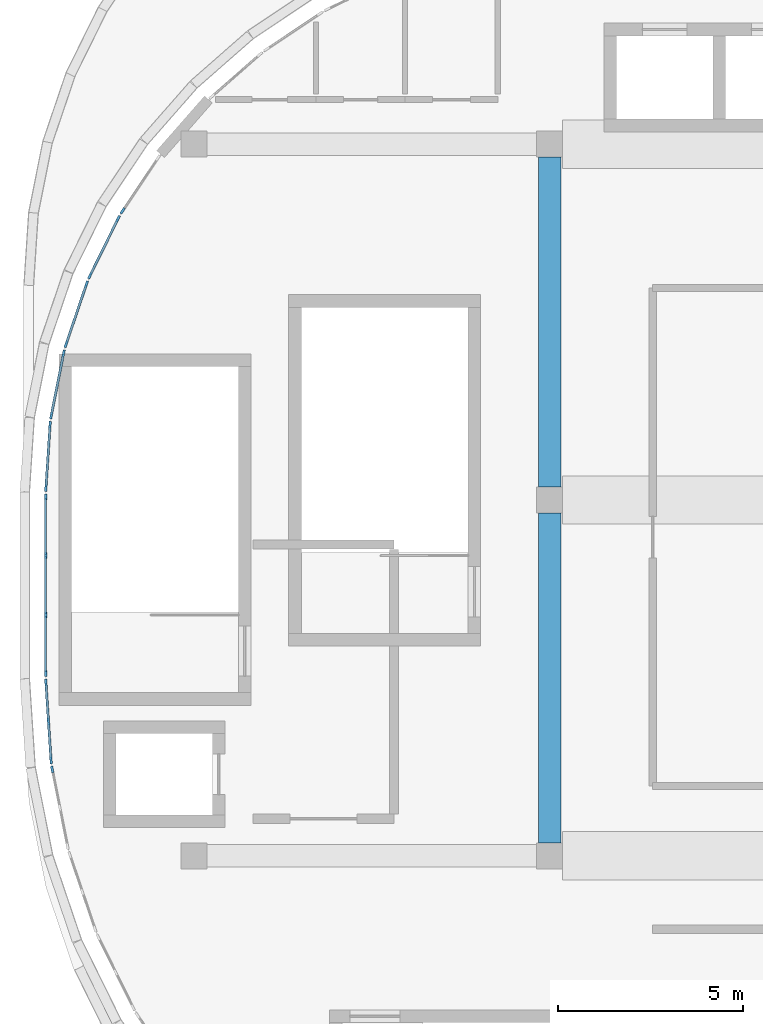
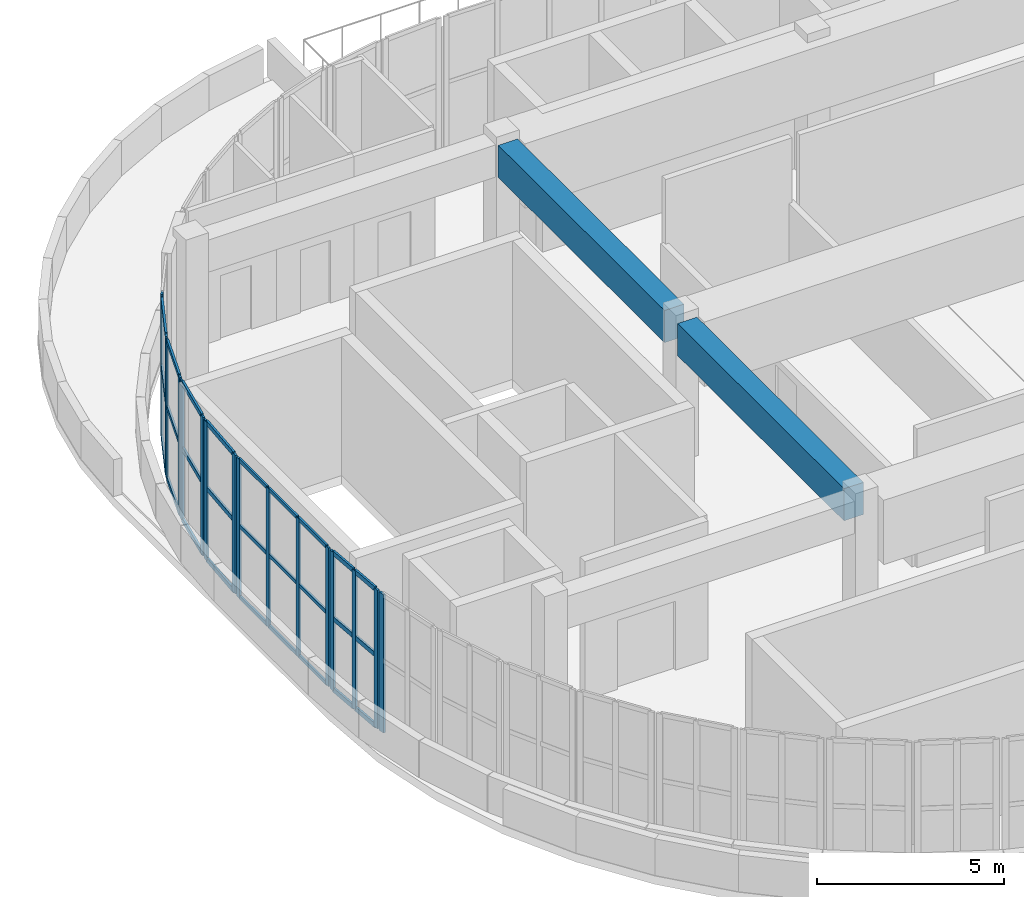
# One storey, part 5 of 23: 44 members, 2 beams, 8 elements without a shape of their own.
"""IFC4 building model written with IfcOpenShell, lengths in metres."""

from ifc_helpers import new_model, si_unit, direction, frame, origin, origin_2d, place, context, subcontext, project, spatial, rectangle, extrude, material, layer, layer_set, material_profile, profile_set, type_object, element, aggregate, save


model = new_model("IFC4")

# Units and contexts
model_context = context("Model", 3, precision=1e-05, world=origin(), true_north=direction((0.0, 1.0)))
body_context = subcontext(model_context, "Body", "Model", "MODEL_VIEW")
ifc_project = project(units=[si_unit("LENGTHUNIT", "METRE"), si_unit("AREAUNIT", "SQUARE_METRE"), si_unit("VOLUMEUNIT", "CUBIC_METRE"), si_unit("PLANEANGLEUNIT", "RADIAN"), si_unit("MASSUNIT", "GRAM", prefix="KILO")], contexts=[model_context])

# Site, building, storey
site_placement = place(None, origin())
site = spatial("IfcSite", under=ifc_project, at=site_placement, CompositionType="ELEMENT")
building_placement = place(site_placement, origin())
building = spatial("IfcBuilding", under=site, at=building_placement, Name="Cendralis Terraced Arcade", CompositionType="ELEMENT")
storey_placement = place(building_placement, frame((0.0, 0.0, 29.39990234375)))
storey = spatial("IfcBuildingStorey", under=building, at=storey_placement, Name="L06", CompositionType="ELEMENT", Elevation=29.39990234375)

# Beams
ifc_material_1 = material(Name="Concrete f'c 35 MPa", Category="concrete")
ifc_material_profile_1 = material_profile(ifc_material_1, rectangle(XDim=0.60009765625, YDim=1.050048828125, at=origin_2d()), Name="RC-BM-600x1050", Category="LoadBearing")
ifc_profile_set_1 = profile_set([ifc_material_profile_1], Name="Concrete f'c 35 MPa")
beam_type = type_object("IfcBeamType", Name="BM-600x1050", PredefinedType="JOIST", material=ifc_profile_set_1)
beam_1_placement = place(storey_placement, frame((19.199951171875, 19.550048828125, 4.0), z_axis=(0.0, 1.0, 0.0), x_axis=(-1.0, 0.0, 0.0)))
element("IfcBeam", 1, at=beam_1_placement, inside=storey, type_object=beam_type, Name="Reinforced Concrete Frame Beam BM-Y-RF-3-C_D", PredefinedType="JOIST", context=body_context, shape_type="SweptSolid", body=[
    extrude(rectangle(XDim=0.60009765625, YDim=1.050048828125, at=origin_2d()), origin(), (0.0, 0.0, 1.0), 8.89990234375),
])
beam_2_placement = place(storey_placement, frame((19.199951171875, 29.14990234375, 4.0), z_axis=(0.0, 1.0, 0.0), x_axis=(-1.0, 0.0, 0.0)))
element("IfcBeam", 2, at=beam_2_placement, inside=storey, type_object=beam_type, Name="Reinforced Concrete Frame Beam BM-Y-RF-3-D_E", PredefinedType="JOIST", context=body_context, shape_type="SweptSolid", body=[
    extrude(rectangle(XDim=0.60009765625, YDim=1.050048828125, at=origin_2d()), origin(), (0.0, 0.0, 1.0), 8.900146484375),
])

# Curtain wall, members
ifc_material_2 = material(Name="Anodised aluminium EN AW-6063 T6", Category="aluminium")
ifc_layer_1 = layer(ifc_material_2, 0.179931640625, Name="CW-UNIT-A")
ifc_layer_set_1 = layer_set([ifc_layer_1], Name="Anodised aluminium EN AW-6063 T6")
curtain_wall_type_1 = type_object("IfcCurtainWallType", Name="CW-UNIT-A", PredefinedType="USERDEFINED", material=ifc_layer_set_1)
curtain_wall_1_placement = place(storey_placement, origin())
curtain_wall_1 = element("IfcCurtainWall", 3, at=curtain_wall_1_placement, inside=storey, type_object=curtain_wall_type_1, Name="Exterior Unitised Facade CW-L06-0446", ObjectType="UNITISED FACADE", PredefinedType="USERDEFINED")
ifc_material_profile_2 = material_profile(ifc_material_2, rectangle(XDim=0.06494140625, YDim=0.179931640625, at=origin_2d()), Name="ALU-MUL-65x180")
ifc_profile_set_2 = profile_set([ifc_material_profile_2], Name="Anodised aluminium EN AW-6063 T6")
member_type_1 = type_object("IfcMemberType", Name="CW-UNIT-A-MUL", PredefinedType="MULLION", material=ifc_profile_set_2)
member_1_placement = place(storey_placement, frame((5.60791015625, 29.122314453125, 0.0), z_axis=(0.0, 0.0, 1.0), x_axis=(-0.997860971336, 0.065371873798, 0.0)))
member_1 = element("IfcMember", 4, at=member_1_placement, type_object=member_type_1, Name="CW-U1 mullion 1", PredefinedType="MULLION", context=body_context, shape_type="SweptSolid", body=[
    extrude(rectangle(XDim=0.06494140625, YDim=0.179931640625, at=origin_2d()), origin(), (0.0, 0.0, 1.0), 4.525146484375),
])
member_2_placement = place(storey_placement, frame((5.72021484375, 30.835693359375, 0.0), z_axis=(0.0, 0.0, 1.0), x_axis=(-0.997860971336, 0.065371873798, 0.0)))
member_2 = element("IfcMember", 5, at=member_2_placement, type_object=member_type_1, Name="CW-U1 mullion 2", PredefinedType="MULLION", context=body_context, shape_type="SweptSolid", body=[
    extrude(rectangle(XDim=0.06494140625, YDim=0.179931640625, at=origin_2d()), origin(), (0.0, 0.0, 1.0), 4.525146484375),
])

curtain_wall_2_placement = place(storey_placement, origin())
curtain_wall_2 = element("IfcCurtainWall", 6, at=curtain_wall_2_placement, inside=storey, type_object=curtain_wall_type_1, Name="Exterior Unitised Facade CW-L06-0447", ObjectType="UNITISED FACADE", PredefinedType="USERDEFINED")
member_3_placement = place(storey_placement, frame((5.752197265625, 31.078125, 0.0), z_axis=(0.0, 0.0, 1.0), x_axis=(-0.980791618721, 0.195058454434, 0.0)))
member_3 = element("IfcMember", 7, at=member_3_placement, type_object=member_type_1, Name="CW-U1 mullion 1", PredefinedType="MULLION", context=body_context, shape_type="SweptSolid", body=[
    extrude(rectangle(XDim=0.06494140625, YDim=0.179931640625, at=origin_2d()), origin(), (0.0, 0.0, 1.0), 4.525146484375),
])
member_4_placement = place(storey_placement, frame((6.087158203125, 32.76220703125, 0.0), z_axis=(0.0, 0.0, 1.0), x_axis=(-0.980791618721, 0.195058454434, 0.0)))
member_4 = element("IfcMember", 8, at=member_4_placement, type_object=member_type_1, Name="CW-U1 mullion 2", PredefinedType="MULLION", context=body_context, shape_type="SweptSolid", body=[
    extrude(rectangle(XDim=0.06494140625, YDim=0.179931640625, at=origin_2d()), origin(), (0.0, 0.0, 1.0), 4.525146484375),
])

curtain_wall_3_placement = place(storey_placement, origin())
curtain_wall_3 = element("IfcCurtainWall", 9, at=curtain_wall_3_placement, inside=storey, type_object=curtain_wall_type_1, Name="Exterior Unitised Facade CW-L06-0448", ObjectType="UNITISED FACADE", PredefinedType="USERDEFINED")
member_5_placement = place(storey_placement, frame((6.150390625, 32.998291015625, 0.0), z_axis=(0.0, 0.0, 1.0), x_axis=(-0.946923811316, 0.321458077458, 0.0)))
member_5 = element("IfcMember", 10, at=member_5_placement, type_object=member_type_1, Name="CW-U1 mullion 1", PredefinedType="MULLION", context=body_context, shape_type="SweptSolid", body=[
    extrude(rectangle(XDim=0.06494140625, YDim=0.179931640625, at=origin_2d()), origin(), (0.0, 0.0, 1.0), 4.525146484375),
])
member_6_placement = place(storey_placement, frame((6.702392578125, 34.624267578125, 0.0), z_axis=(0.0, 0.0, 1.0), x_axis=(-0.946923811316, 0.321458077458, 0.0)))
member_6 = element("IfcMember", 11, at=member_6_placement, type_object=member_type_1, Name="CW-U1 mullion 2", PredefinedType="MULLION", context=body_context, shape_type="SweptSolid", body=[
    extrude(rectangle(XDim=0.06494140625, YDim=0.179931640625, at=origin_2d()), origin(), (0.0, 0.0, 1.0), 4.525146484375),
])

curtain_wall_4_placement = place(storey_placement, origin())
curtain_wall_4 = element("IfcCurtainWall", 12, at=curtain_wall_4_placement, inside=storey, type_object=curtain_wall_type_1, Name="Exterior Unitised Facade CW-L06-0449", ObjectType="UNITISED FACADE", PredefinedType="USERDEFINED")
member_7_placement = place(storey_placement, frame((6.7958984375, 34.85009765625, 0.0), z_axis=(0.0, 0.0, 1.0), x_axis=(-0.896871480419, 0.442291247495, 0.0)))
member_7 = element("IfcMember", 13, at=member_7_placement, type_object=member_type_1, Name="CW-U1 mullion 1", PredefinedType="MULLION", context=body_context, shape_type="SweptSolid", body=[
    extrude(rectangle(XDim=0.06494140625, YDim=0.179931640625, at=origin_2d()), origin(), (0.0, 0.0, 1.0), 4.525146484375),
])
member_8_placement = place(storey_placement, frame((7.555419921875, 36.39013671875, 0.0), z_axis=(0.0, 0.0, 1.0), x_axis=(-0.896871480419, 0.442291247495, 0.0)))
member_8 = element("IfcMember", 14, at=member_8_placement, type_object=member_type_1, Name="CW-U1 mullion 2", PredefinedType="MULLION", context=body_context, shape_type="SweptSolid", body=[
    extrude(rectangle(XDim=0.06494140625, YDim=0.179931640625, at=origin_2d()), origin(), (0.0, 0.0, 1.0), 4.525146484375),
])

# Curtain wall, member
curtain_wall_5_placement = place(storey_placement, origin())
curtain_wall_5 = element("IfcCurtainWall", 15, at=curtain_wall_5_placement, inside=storey, type_object=curtain_wall_type_1, Name="Exterior Unitised Facade CW-L06-0450", ObjectType="UNITISED FACADE", PredefinedType="USERDEFINED")
member_9_placement = place(storey_placement, frame((7.677734375, 36.601806640625, 0.0), z_axis=(0.0, 0.0, 1.0), x_axis=(-0.831471454125, 0.555567476528, 0.0)))
member_9 = element("IfcMember", 16, at=member_9_placement, type_object=member_type_1, Name="CW-U1 mullion 1", PredefinedType="MULLION", context=body_context, shape_type="SweptSolid", body=[
    extrude(rectangle(XDim=0.06494140625, YDim=0.179931640625, at=origin_2d()), origin(), (0.0, 0.0, 1.0), 4.525146484375),
])
aggregate(curtain_wall_5, [member_9])

curtain_wall_6_placement = place(storey_placement, origin())
curtain_wall_6 = element("IfcCurtainWall", 17, at=curtain_wall_6_placement, inside=storey, type_object=curtain_wall_type_1, Name="Exterior Unitised Facade CW-L06-0495", ObjectType="UNITISED FACADE", PredefinedType="USERDEFINED")
member_10_placement = place(storey_placement, frame((5.77783203125, 21.5302734375, 0.0), z_axis=(0.0, 0.0, 1.0), x_axis=(-0.980794124594, -0.195045853998, 0.0)))
member_10 = element("IfcMember", 18, at=member_10_placement, type_object=member_type_1, Name="CW-U1 mullion 3", PredefinedType="MULLION", context=body_context, shape_type="SweptSolid", body=[
    extrude(rectangle(XDim=0.06494140625, YDim=0.179931640625, at=origin_2d()), origin(), (0.0, 0.0, 1.0), 4.525146484375),
])
aggregate(curtain_wall_6, [member_10])

# Curtain wall, members
curtain_wall_7_placement = place(storey_placement, origin())
curtain_wall_7 = element("IfcCurtainWall", 19, at=curtain_wall_7_placement, inside=storey, type_object=curtain_wall_type_1, Name="Exterior Unitised Facade CW-L06-0496", ObjectType="UNITISED FACADE", PredefinedType="USERDEFINED")
member_11_placement = place(storey_placement, frame((5.74609375, 21.772705078125, 0.0), z_axis=(0.0, 0.0, 1.0), x_axis=(-0.99785960626, -0.065392707503, 0.0)))
member_11 = element("IfcMember", 20, at=member_11_placement, type_object=member_type_1, Name="CW-U1 mullion 1", PredefinedType="MULLION", context=body_context, shape_type="SweptSolid", body=[
    extrude(rectangle(XDim=0.06494140625, YDim=0.179931640625, at=origin_2d()), origin(), (0.0, 0.0, 1.0), 4.525146484375),
])
member_12_placement = place(storey_placement, frame((5.677001953125, 22.8251953125, 0.0), z_axis=(0.0, 0.0, 1.0), x_axis=(-0.99785960626, -0.065392707503, 0.0)))
member_12 = element("IfcMember", 21, at=member_12_placement, type_object=member_type_1, Name="CW-U1 mullion 2", PredefinedType="MULLION", context=body_context, shape_type="SweptSolid", body=[
    extrude(rectangle(XDim=0.06494140625, YDim=0.179931640625, at=origin_2d()), origin(), (0.0, 0.0, 1.0), 4.525146484375),
])
member_13_placement = place(storey_placement, frame((5.60791015625, 23.877685546875, 0.0), z_axis=(0.0, 0.0, 1.0), x_axis=(-0.99785960626, -0.065392707503, 0.0)))
member_13 = element("IfcMember", 22, at=member_13_placement, type_object=member_type_1, Name="CW-U1 mullion 3", PredefinedType="MULLION", context=body_context, shape_type="SweptSolid", body=[
    extrude(rectangle(XDim=0.06494140625, YDim=0.179931640625, at=origin_2d()), origin(), (0.0, 0.0, 1.0), 4.525146484375),
])

# Member
ifc_material_profile_3 = material_profile(ifc_material_2, rectangle(XDim=0.06494140625, YDim=0.14990234375, at=origin_2d()), Name="ALU-TRN-65x150")
ifc_profile_set_3 = profile_set([ifc_material_profile_3], Name="Anodised aluminium EN AW-6063 T6")
member_type_2 = type_object("IfcMemberType", Name="CW-UNIT-A-TRN", PredefinedType="USERDEFINED", material=ifc_profile_set_3)
member_14_placement = place(storey_placement, frame((5.610107421875, 29.154541015625, 0.03271484375), z_axis=(0.065459774551, 0.997855208893, 0.0), x_axis=(-0.997855208893, 0.065459774551, 0.0)))
member_14 = element("IfcMember", 23, at=member_14_placement, type_object=member_type_2, Name="CW-U1 transom 1.1", ObjectType="TRANSOM", PredefinedType="USERDEFINED", context=body_context, shape_type="SweptSolid", body=[
    extrude(rectangle(XDim=0.06494140625, YDim=0.14990234375, at=origin_2d()), origin(), (0.0, 0.0, 1.0), 1.65234375),
])

member_15_placement = place(storey_placement, frame((5.610107421875, 29.154541015625, 2.35302734375), z_axis=(0.065459774551, 0.997855208893, 0.0), x_axis=(-0.997855208893, 0.065459774551, 0.0)))
member_15 = element("IfcMember", 24, at=member_15_placement, type_object=member_type_2, Name="CW-U1 transom 1.2", ObjectType="TRANSOM", PredefinedType="USERDEFINED", context=body_context, shape_type="SweptSolid", body=[
    extrude(rectangle(XDim=0.06494140625, YDim=0.14990234375, at=origin_2d()), origin(), (0.0, 0.0, 1.0), 1.65234375),
])

member_16_placement = place(storey_placement, frame((5.610107421875, 29.154541015625, 4.49267578125), z_axis=(0.065459774551, 0.997855208893, 0.0), x_axis=(-0.997855208893, 0.065459774551, 0.0)))
member_16 = element("IfcMember", 25, at=member_16_placement, type_object=member_type_2, Name="CW-U1 transom 1.3", ObjectType="TRANSOM", PredefinedType="USERDEFINED", context=body_context, shape_type="SweptSolid", body=[
    extrude(rectangle(XDim=0.06494140625, YDim=0.14990234375, at=origin_2d()), origin(), (0.0, 0.0, 1.0), 1.65234375),
])

aggregate(curtain_wall_1, [member_1, member_2, member_14, member_15, member_16])

member_17_placement = place(storey_placement, frame((5.758544921875, 31.10986328125, 0.03271484375), z_axis=(0.195064538134, 0.980790408784, 0.0), x_axis=(-0.980790408784, 0.195064538134, 0.0)))
member_17 = element("IfcMember", 26, at=member_17_placement, type_object=member_type_2, Name="CW-U1 transom 1.1", ObjectType="TRANSOM", PredefinedType="USERDEFINED", context=body_context, shape_type="SweptSolid", body=[
    extrude(rectangle(XDim=0.06494140625, YDim=0.14990234375, at=origin_2d()), origin(), (0.0, 0.0, 1.0), 1.652099609375),
])

member_18_placement = place(storey_placement, frame((5.758544921875, 31.10986328125, 2.35302734375), z_axis=(0.195064538134, 0.980790408784, 0.0), x_axis=(-0.980790408784, 0.195064538134, 0.0)))
member_18 = element("IfcMember", 27, at=member_18_placement, type_object=member_type_2, Name="CW-U1 transom 1.2", ObjectType="TRANSOM", PredefinedType="USERDEFINED", context=body_context, shape_type="SweptSolid", body=[
    extrude(rectangle(XDim=0.06494140625, YDim=0.14990234375, at=origin_2d()), origin(), (0.0, 0.0, 1.0), 1.652099609375),
])

member_19_placement = place(storey_placement, frame((5.758544921875, 31.10986328125, 4.49267578125), z_axis=(0.195064538134, 0.980790408784, 0.0), x_axis=(-0.980790408784, 0.195064538134, 0.0)))
member_19 = element("IfcMember", 28, at=member_19_placement, type_object=member_type_2, Name="CW-U1 transom 1.3", ObjectType="TRANSOM", PredefinedType="USERDEFINED", context=body_context, shape_type="SweptSolid", body=[
    extrude(rectangle(XDim=0.06494140625, YDim=0.14990234375, at=origin_2d()), origin(), (0.0, 0.0, 1.0), 1.652099609375),
])

aggregate(curtain_wall_2, [member_3, member_4, member_17, member_18, member_19])

member_20_placement = place(storey_placement, frame((6.160888671875, 33.029052734375, 0.03271484375), z_axis=(0.321409930755, 0.94694015461, 0.0), x_axis=(-0.94694015461, 0.321409930755, 0.0)))
member_20 = element("IfcMember", 29, at=member_20_placement, type_object=member_type_2, Name="CW-U1 transom 1.1", ObjectType="TRANSOM", PredefinedType="USERDEFINED", context=body_context, shape_type="SweptSolid", body=[
    extrude(rectangle(XDim=0.06494140625, YDim=0.14990234375, at=origin_2d()), origin(), (0.0, 0.0, 1.0), 1.652099609375),
])

member_21_placement = place(storey_placement, frame((6.160888671875, 33.029052734375, 2.35302734375), z_axis=(0.321409930755, 0.94694015461, 0.0), x_axis=(-0.94694015461, 0.321409930755, 0.0)))
member_21 = element("IfcMember", 30, at=member_21_placement, type_object=member_type_2, Name="CW-U1 transom 1.2", ObjectType="TRANSOM", PredefinedType="USERDEFINED", context=body_context, shape_type="SweptSolid", body=[
    extrude(rectangle(XDim=0.06494140625, YDim=0.14990234375, at=origin_2d()), origin(), (0.0, 0.0, 1.0), 1.652099609375),
])

member_22_placement = place(storey_placement, frame((6.160888671875, 33.029052734375, 4.49267578125), z_axis=(0.321409930755, 0.94694015461, 0.0), x_axis=(-0.94694015461, 0.321409930755, 0.0)))
member_22 = element("IfcMember", 31, at=member_22_placement, type_object=member_type_2, Name="CW-U1 transom 1.3", ObjectType="TRANSOM", PredefinedType="USERDEFINED", context=body_context, shape_type="SweptSolid", body=[
    extrude(rectangle(XDim=0.06494140625, YDim=0.14990234375, at=origin_2d()), origin(), (0.0, 0.0, 1.0), 1.652099609375),
])

aggregate(curtain_wall_3, [member_5, member_6, member_20, member_21, member_22])

member_23_placement = place(storey_placement, frame((6.810302734375, 34.87939453125, 0.03271484375), z_axis=(0.442300625853, 0.896866855431, 0.0), x_axis=(-0.896866855431, 0.442300625853, 0.0)))
member_23 = element("IfcMember", 32, at=member_23_placement, type_object=member_type_2, Name="CW-U1 transom 1.1", ObjectType="TRANSOM", PredefinedType="USERDEFINED", context=body_context, shape_type="SweptSolid", body=[
    extrude(rectangle(XDim=0.06494140625, YDim=0.14990234375, at=origin_2d()), origin(), (0.0, 0.0, 1.0), 1.652099609375),
])

member_24_placement = place(storey_placement, frame((6.810302734375, 34.87939453125, 2.35302734375), z_axis=(0.442300625853, 0.896866855431, 0.0), x_axis=(-0.896866855431, 0.442300625853, 0.0)))
member_24 = element("IfcMember", 33, at=member_24_placement, type_object=member_type_2, Name="CW-U1 transom 1.2", ObjectType="TRANSOM", PredefinedType="USERDEFINED", context=body_context, shape_type="SweptSolid", body=[
    extrude(rectangle(XDim=0.06494140625, YDim=0.14990234375, at=origin_2d()), origin(), (0.0, 0.0, 1.0), 1.652099609375),
])

member_25_placement = place(storey_placement, frame((6.810302734375, 34.87939453125, 4.49267578125), z_axis=(0.442300625853, 0.896866855431, 0.0), x_axis=(-0.896866855431, 0.442300625853, 0.0)))
member_25 = element("IfcMember", 34, at=member_25_placement, type_object=member_type_2, Name="CW-U1 transom 1.3", ObjectType="TRANSOM", PredefinedType="USERDEFINED", context=body_context, shape_type="SweptSolid", body=[
    extrude(rectangle(XDim=0.06494140625, YDim=0.14990234375, at=origin_2d()), origin(), (0.0, 0.0, 1.0), 1.652099609375),
])

aggregate(curtain_wall_4, [member_7, member_8, member_23, member_24, member_25])

member_26_placement = place(storey_placement, frame((5.743896484375, 21.80517578125, 0.03271484375), z_axis=(-0.065372840697, 0.997860907992, 0.0), x_axis=(-0.997860907992, -0.065372840697, 0.0)))
member_26 = element("IfcMember", 35, at=member_26_placement, type_object=member_type_2, Name="CW-U1 transom 1.1", ObjectType="TRANSOM", PredefinedType="USERDEFINED", context=body_context, shape_type="SweptSolid", body=[
    extrude(rectangle(XDim=0.06494140625, YDim=0.14990234375, at=origin_2d()), origin(), (0.0, 0.0, 1.0), 0.98974609375),
])

member_27_placement = place(storey_placement, frame((5.743896484375, 21.80517578125, 2.35302734375), z_axis=(-0.065372840697, 0.997860907992, 0.0), x_axis=(-0.997860907992, -0.065372840697, 0.0)))
member_27 = element("IfcMember", 36, at=member_27_placement, type_object=member_type_2, Name="CW-U1 transom 1.2", ObjectType="TRANSOM", PredefinedType="USERDEFINED", context=body_context, shape_type="SweptSolid", body=[
    extrude(rectangle(XDim=0.06494140625, YDim=0.14990234375, at=origin_2d()), origin(), (0.0, 0.0, 1.0), 0.98974609375),
])

member_28_placement = place(storey_placement, frame((5.743896484375, 21.80517578125, 4.49267578125), z_axis=(-0.065372840697, 0.997860907992, 0.0), x_axis=(-0.997860907992, -0.065372840697, 0.0)))
member_28 = element("IfcMember", 37, at=member_28_placement, type_object=member_type_2, Name="CW-U1 transom 1.3", ObjectType="TRANSOM", PredefinedType="USERDEFINED", context=body_context, shape_type="SweptSolid", body=[
    extrude(rectangle(XDim=0.06494140625, YDim=0.14990234375, at=origin_2d()), origin(), (0.0, 0.0, 1.0), 0.98974609375),
])

member_29_placement = place(storey_placement, frame((5.6748046875, 22.857666015625, 0.03271484375), z_axis=(-0.065356752321, 0.997861961859, 0.0), x_axis=(-0.997861961859, -0.065356752321, 0.0)))
member_29 = element("IfcMember", 38, at=member_29_placement, type_object=member_type_2, Name="CW-U1 transom 2.1", ObjectType="TRANSOM", PredefinedType="USERDEFINED", context=body_context, shape_type="SweptSolid", body=[
    extrude(rectangle(XDim=0.06494140625, YDim=0.14990234375, at=origin_2d()), origin(), (0.0, 0.0, 1.0), 0.989990234375),
])

member_30_placement = place(storey_placement, frame((5.6748046875, 22.857666015625, 2.35302734375), z_axis=(-0.065356752321, 0.997861961859, 0.0), x_axis=(-0.997861961859, -0.065356752321, 0.0)))
member_30 = element("IfcMember", 39, at=member_30_placement, type_object=member_type_2, Name="CW-U1 transom 2.2", ObjectType="TRANSOM", PredefinedType="USERDEFINED", context=body_context, shape_type="SweptSolid", body=[
    extrude(rectangle(XDim=0.06494140625, YDim=0.14990234375, at=origin_2d()), origin(), (0.0, 0.0, 1.0), 0.989990234375),
])

member_31_placement = place(storey_placement, frame((5.6748046875, 22.857666015625, 4.49267578125), z_axis=(-0.065356752321, 0.997861961859, 0.0), x_axis=(-0.997861961859, -0.065356752321, 0.0)))
member_31 = element("IfcMember", 40, at=member_31_placement, type_object=member_type_2, Name="CW-U1 transom 2.3", ObjectType="TRANSOM", PredefinedType="USERDEFINED", context=body_context, shape_type="SweptSolid", body=[
    extrude(rectangle(XDim=0.06494140625, YDim=0.14990234375, at=origin_2d()), origin(), (0.0, 0.0, 1.0), 0.989990234375),
])

aggregate(curtain_wall_7, [member_11, member_12, member_13, member_26, member_27, member_28, member_29, member_30, member_31])

# Curtain wall, members
ifc_layer_2 = layer(ifc_material_2, 0.159912109375, Name="CW-UNIT-B")
ifc_layer_set_2 = layer_set([ifc_layer_2], Name="Anodised aluminium EN AW-6063 T6")
curtain_wall_type_2 = type_object("IfcCurtainWallType", Name="CW-UNIT-B", PredefinedType="USERDEFINED", material=ifc_layer_set_2)
curtain_wall_8_placement = place(storey_placement, origin())
curtain_wall_8 = element("IfcCurtainWall", 41, at=curtain_wall_8_placement, inside=storey, type_object=curtain_wall_type_2, Name="Exterior Unitised Facade CW-L06-0445", ObjectType="UNITISED FACADE", PredefinedType="USERDEFINED")
ifc_material_profile_4 = material_profile(ifc_material_2, rectangle(XDim=0.06494140625, YDim=0.159912109375, at=origin_2d()), Name="ALU-MUL-65x160")
ifc_profile_set_4 = profile_set([ifc_material_profile_4], Name="Anodised aluminium EN AW-6063 T6")
member_type_3 = type_object("IfcMemberType", Name="CW-UNIT-B-MUL", PredefinedType="MULLION", material=ifc_profile_set_4)
member_32_placement = place(storey_placement, frame((5.60009765625, 24.12255859375, 0.0), z_axis=(0.0, 0.0, 1.0), x_axis=(-1.0, 0.0, 0.0)))
member_32 = element("IfcMember", 42, at=member_32_placement, type_object=member_type_3, Name="CW-U2 mullion 1", PredefinedType="MULLION", context=body_context, shape_type="SweptSolid", body=[
    extrude(rectangle(XDim=0.06494140625, YDim=0.159912109375, at=origin_2d()), origin(), (0.0, 0.0, 1.0), 4.525146484375),
])
member_33_placement = place(storey_placement, frame((5.60009765625, 25.69677734375, 0.0), z_axis=(0.0, 0.0, 1.0), x_axis=(-1.0, 0.0, 0.0)))
member_33 = element("IfcMember", 43, at=member_33_placement, type_object=member_type_3, Name="CW-U2 mullion 2", PredefinedType="MULLION", context=body_context, shape_type="SweptSolid", body=[
    extrude(rectangle(XDim=0.06494140625, YDim=0.159912109375, at=origin_2d()), origin(), (0.0, 0.0, 1.0), 4.525146484375),
])
member_34_placement = place(storey_placement, frame((5.60009765625, 27.30322265625, 0.0), z_axis=(0.0, 0.0, 1.0), x_axis=(-1.0, 0.0, 0.0)))
member_34 = element("IfcMember", 44, at=member_34_placement, type_object=member_type_3, Name="CW-U2 mullion 3", PredefinedType="MULLION", context=body_context, shape_type="SweptSolid", body=[
    extrude(rectangle(XDim=0.06494140625, YDim=0.159912109375, at=origin_2d()), origin(), (0.0, 0.0, 1.0), 4.525146484375),
])
member_35_placement = place(storey_placement, frame((5.60009765625, 28.87744140625, 0.0), z_axis=(0.0, 0.0, 1.0), x_axis=(-1.0, 0.0, 0.0)))
member_35 = element("IfcMember", 45, at=member_35_placement, type_object=member_type_3, Name="CW-U2 mullion 4", PredefinedType="MULLION", context=body_context, shape_type="SweptSolid", body=[
    extrude(rectangle(XDim=0.06494140625, YDim=0.159912109375, at=origin_2d()), origin(), (0.0, 0.0, 1.0), 4.525146484375),
])
ifc_material_profile_5 = material_profile(ifc_material_2, rectangle(XDim=0.06005859375, YDim=0.1201171875, at=origin_2d()), Name="ALU-TRN-60x120")
ifc_profile_set_5 = profile_set([ifc_material_profile_5], Name="Anodised aluminium EN AW-6063 T6")
member_type_4 = type_object("IfcMemberType", Name="CW-UNIT-B-TRN", PredefinedType="USERDEFINED", material=ifc_profile_set_5)
member_36_placement = place(storey_placement, frame((5.60009765625, 24.155029296875, 0.030029296875), z_axis=(0.0, 1.0, 0.0), x_axis=(-1.0, 0.0, 0.0)))
member_36 = element("IfcMember", 46, at=member_36_placement, type_object=member_type_4, Name="CW-U2 transom 1.1", ObjectType="TRANSOM", PredefinedType="USERDEFINED", context=body_context, shape_type="SweptSolid", body=[
    extrude(rectangle(XDim=0.06005859375, YDim=0.1201171875, at=origin_2d()), origin(), (0.0, 0.0, 1.0), 1.509033203125),
])
member_37_placement = place(storey_placement, frame((5.60009765625, 24.155029296875, 2.35302734375), z_axis=(0.0, 1.0, 0.0), x_axis=(-1.0, 0.0, 0.0)))
member_37 = element("IfcMember", 47, at=member_37_placement, type_object=member_type_4, Name="CW-U2 transom 1.2", ObjectType="TRANSOM", PredefinedType="USERDEFINED", context=body_context, shape_type="SweptSolid", body=[
    extrude(rectangle(XDim=0.06005859375, YDim=0.1201171875, at=origin_2d()), origin(), (0.0, 0.0, 1.0), 1.509033203125),
])
member_38_placement = place(storey_placement, frame((5.60009765625, 24.155029296875, 4.4951171875), z_axis=(0.0, 1.0, 0.0), x_axis=(-1.0, 0.0, 0.0)))
member_38 = element("IfcMember", 48, at=member_38_placement, type_object=member_type_4, Name="CW-U2 transom 1.3", ObjectType="TRANSOM", PredefinedType="USERDEFINED", context=body_context, shape_type="SweptSolid", body=[
    extrude(rectangle(XDim=0.06005859375, YDim=0.1201171875, at=origin_2d()), origin(), (0.0, 0.0, 1.0), 1.509033203125),
])
member_39_placement = place(storey_placement, frame((5.60009765625, 25.729248046875, 0.030029296875), z_axis=(0.0, 1.0, 0.0), x_axis=(-1.0, 0.0, 0.0)))
member_39 = element("IfcMember", 49, at=member_39_placement, type_object=member_type_4, Name="CW-U2 transom 2.1", ObjectType="TRANSOM", PredefinedType="USERDEFINED", context=body_context, shape_type="SweptSolid", body=[
    extrude(rectangle(XDim=0.06005859375, YDim=0.1201171875, at=origin_2d()), origin(), (0.0, 0.0, 1.0), 1.54150390625),
])
member_40_placement = place(storey_placement, frame((5.60009765625, 25.729248046875, 2.35302734375), z_axis=(0.0, 1.0, 0.0), x_axis=(-1.0, 0.0, 0.0)))
member_40 = element("IfcMember", 50, at=member_40_placement, type_object=member_type_4, Name="CW-U2 transom 2.2", ObjectType="TRANSOM", PredefinedType="USERDEFINED", context=body_context, shape_type="SweptSolid", body=[
    extrude(rectangle(XDim=0.06005859375, YDim=0.1201171875, at=origin_2d()), origin(), (0.0, 0.0, 1.0), 1.54150390625),
])
member_41_placement = place(storey_placement, frame((5.60009765625, 25.729248046875, 4.4951171875), z_axis=(0.0, 1.0, 0.0), x_axis=(-1.0, 0.0, 0.0)))
member_41 = element("IfcMember", 51, at=member_41_placement, type_object=member_type_4, Name="CW-U2 transom 2.3", ObjectType="TRANSOM", PredefinedType="USERDEFINED", context=body_context, shape_type="SweptSolid", body=[
    extrude(rectangle(XDim=0.06005859375, YDim=0.1201171875, at=origin_2d()), origin(), (0.0, 0.0, 1.0), 1.54150390625),
])
member_42_placement = place(storey_placement, frame((5.60009765625, 27.3359375, 0.030029296875), z_axis=(0.0, 1.0, 0.0), x_axis=(-1.0, 0.0, 0.0)))
member_42 = element("IfcMember", 52, at=member_42_placement, type_object=member_type_4, Name="CW-U2 transom 3.1", ObjectType="TRANSOM", PredefinedType="USERDEFINED", context=body_context, shape_type="SweptSolid", body=[
    extrude(rectangle(XDim=0.06005859375, YDim=0.1201171875, at=origin_2d()), origin(), (0.0, 0.0, 1.0), 1.509033203125),
])
member_43_placement = place(storey_placement, frame((5.60009765625, 27.3359375, 2.35302734375), z_axis=(0.0, 1.0, 0.0), x_axis=(-1.0, 0.0, 0.0)))
member_43 = element("IfcMember", 53, at=member_43_placement, type_object=member_type_4, Name="CW-U2 transom 3.2", ObjectType="TRANSOM", PredefinedType="USERDEFINED", context=body_context, shape_type="SweptSolid", body=[
    extrude(rectangle(XDim=0.06005859375, YDim=0.1201171875, at=origin_2d()), origin(), (0.0, 0.0, 1.0), 1.509033203125),
])
member_44_placement = place(storey_placement, frame((5.60009765625, 27.3359375, 4.4951171875), z_axis=(0.0, 1.0, 0.0), x_axis=(-1.0, 0.0, 0.0)))
member_44 = element("IfcMember", 54, at=member_44_placement, type_object=member_type_4, Name="CW-U2 transom 3.3", ObjectType="TRANSOM", PredefinedType="USERDEFINED", context=body_context, shape_type="SweptSolid", body=[
    extrude(rectangle(XDim=0.06005859375, YDim=0.1201171875, at=origin_2d()), origin(), (0.0, 0.0, 1.0), 1.509033203125),
])
aggregate(curtain_wall_8, [member_32, member_33, member_34, member_35, member_36, member_37, member_38, member_39, member_40, member_41, member_42, member_43, member_44])

save(model, "model.ifc")
